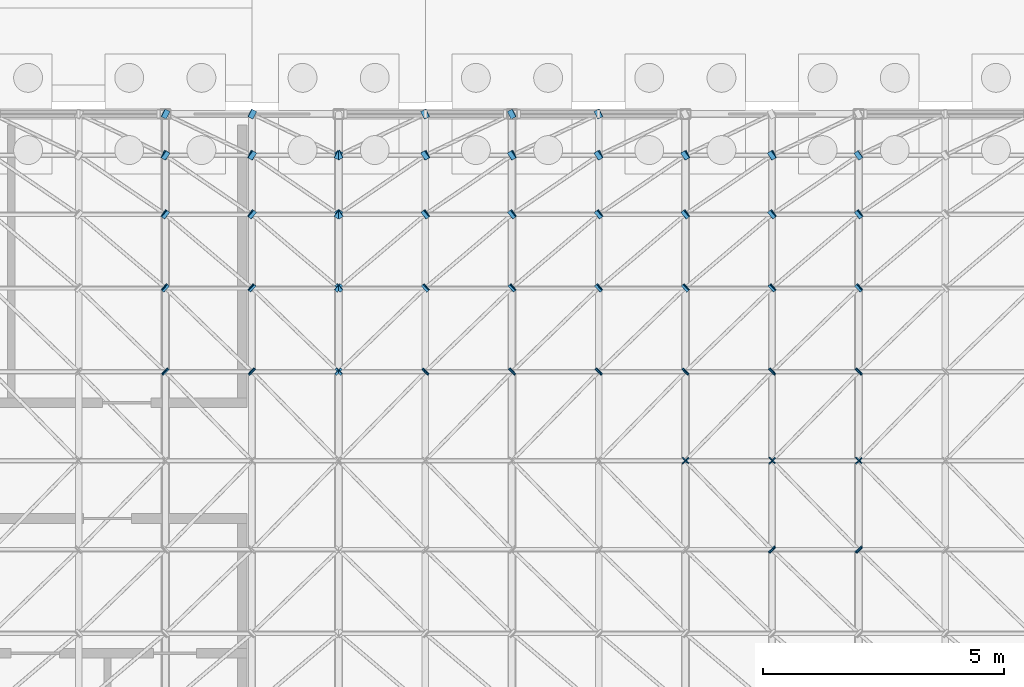
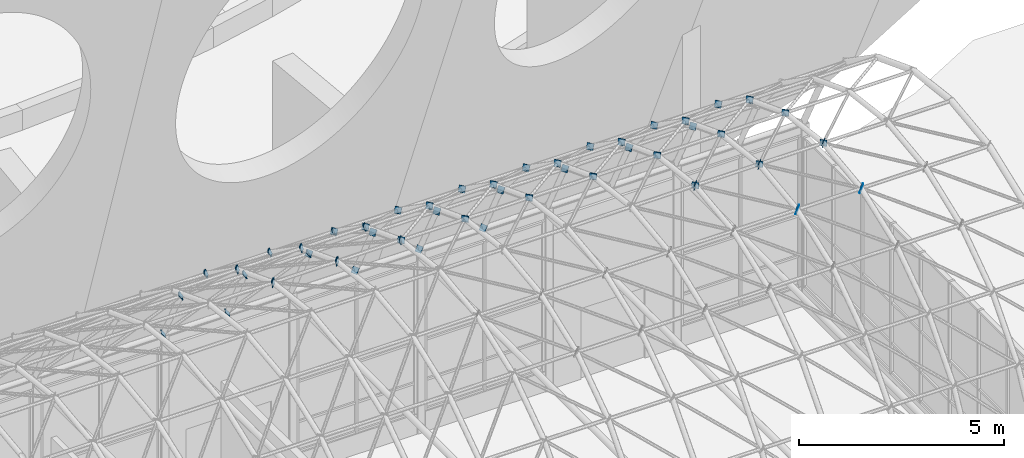
# One storey, part 104 of 116: 86 discrete accessories.
"""IFC4 building model written with IfcOpenShell, lengths in metres."""

from ifc_helpers import new_model, si_unit, direction, frame, origin, origin_2d, place, context, subcontext, project, spatial, rectangle, extrude, material, material_profile, profile_set, type_object, element, save


model = new_model("IFC4")

# Units and contexts
model_context = context("Model", 3, precision=1e-05, world=origin(), true_north=direction((0.0, 1.0)))
body_context = subcontext(model_context, "Body", "Model", "MODEL_VIEW")
ifc_project = project(units=[si_unit("LENGTHUNIT", "METRE"), si_unit("AREAUNIT", "SQUARE_METRE"), si_unit("VOLUMEUNIT", "CUBIC_METRE"), si_unit("PLANEANGLEUNIT", "RADIAN"), si_unit("MASSUNIT", "GRAM", prefix="KILO")], contexts=[model_context])

# Site, building, storey
site_placement = place(None, origin())
site = spatial("IfcSite", under=ifc_project, at=site_placement, CompositionType="ELEMENT")
building_placement = place(site_placement, origin())
building = spatial("IfcBuilding", under=site, at=building_placement, Name="Ardhachandra Cancer Care Centre", CompositionType="ELEMENT")
storey_placement = place(building_placement, origin())
storey = spatial("IfcBuildingStorey", under=building, at=storey_placement, Name="L00", CompositionType="ELEMENT", Elevation=0.0)

# Discrete accessories
ifc_material = material(Name="Steel E250 (IS 2062)", Category="steel")
ifc_material_profile = material_profile(ifc_material, rectangle(XDim=0.176025390625, YDim=0.176025390625, at=origin_2d()), Name="PL 176x176x12")
ifc_profile_set = profile_set([ifc_material_profile], Name="Steel E250 (IS 2062)")
discrete_accessory_type = type_object("IfcDiscreteAccessoryType", Name="Diagonal end plate 176 x 176 x 12", PredefinedType="BRACKET", material=ifc_profile_set)
for number, where, z_axis, x_axis, name in (
    (1, (74.39990234375, 16.247314453125, 10.174560546875), (-0.695618049284, 0.675158694893, -0.245512252688), (-0.696475377169, -0.717580691628, 0.0), "Diagonal end plate Pavilion shell diagonal 06-06 1"),
    (2, (74.39990234375, 17.986328125, 9.51171875), (-0.694456264675, 0.592330343399, -0.408503685103), (-0.648946606083, -0.760833951959, 0.0), "Diagonal end plate Pavilion shell diagonal 06-07 1"),
):
    element("IfcDiscreteAccessory", number, at=place(storey_placement, frame(where, z_axis=z_axis, x_axis=x_axis)), inside=storey, type_object=discrete_accessory_type, Name=name, PredefinedType="BRACKET", context=body_context, shape_type="SweptSolid", body=[
        extrude(rectangle(XDim=0.176025390625, YDim=0.176025390625, at=origin_2d()), origin(), (0.0, 0.0, 1.0), 0.011962890625),
    ])
discrete_accessory_1_placement = place(storey_placement, frame((74.39990234375, 19.514892578125, 8.4501953125), z_axis=(-0.685366874707, 0.483788382146, -0.544261929915), x_axis=(-0.576683197599, -0.816967863265, 0.0)))
element("IfcDiscreteAccessory", 3, at=discrete_accessory_1_placement, inside=storey, type_object=discrete_accessory_type, Name="Diagonal end plate Pavilion shell diagonal 06-08 1", PredefinedType="BRACKET", context=body_context, shape_type="SweptSolid", body=[
    extrude(rectangle(XDim=0.176025390625, YDim=0.176025390625, at=origin_2d()), origin(), (0.0, 0.0, 1.0), 0.01220703125),
])
discrete_accessory_2_placement = place(storey_placement, frame((74.39990234375, 20.74365234375, 7.05224609375), z_axis=(-0.697959218879, 0.328451397119, -0.636374581919), x_axis=(-0.42579703633, -0.904818702201, 0.0)))
element("IfcDiscreteAccessory", 4, at=discrete_accessory_2_placement, inside=storey, type_object=discrete_accessory_type, Name="Diagonal end plate Pavilion shell diagonal 06-09 1", PredefinedType="BRACKET", context=body_context, shape_type="SweptSolid", body=[
    extrude(rectangle(XDim=0.176025390625, YDim=0.176025390625, at=origin_2d()), origin(), (0.0, 0.0, 1.0), 0.011962890625),
])
discrete_accessory_3_placement = place(storey_placement, frame((74.39990234375, 16.247314453125, 10.174560546875), z_axis=(0.703526470681, -0.703526470681, 0.100503781526), x_axis=(0.707106781187, 0.707106781187, 0.0)))
element("IfcDiscreteAccessory", 5, at=discrete_accessory_3_placement, inside=storey, type_object=discrete_accessory_type, Name="Diagonal end plate Pavilion shell diagonal 07-05 2", PredefinedType="BRACKET", context=body_context, shape_type="SweptSolid", body=[
    extrude(rectangle(XDim=0.176025390625, YDim=0.176025390625, at=origin_2d()), origin(), (0.0, 0.0, 1.0), 0.01220703125),
])
discrete_accessory_4_placement = place(storey_placement, frame((76.199951171875, 16.247314453125, 10.174560546875), z_axis=(-0.695618049284, 0.675158694893, -0.245512252688), x_axis=(-0.696475377169, -0.717580691628, 0.0)))
element("IfcDiscreteAccessory", 6, at=discrete_accessory_4_placement, inside=storey, type_object=discrete_accessory_type, Name="Diagonal end plate Pavilion shell diagonal 07-06 1", PredefinedType="BRACKET", context=body_context, shape_type="SweptSolid", body=[
    extrude(rectangle(XDim=0.176025390625, YDim=0.176025390625, at=origin_2d()), origin(), (0.0, 0.0, 1.0), 0.011962890625),
])
discrete_accessory_5_placement = place(storey_placement, frame((74.39990234375, 17.986328125, 9.51171875), z_axis=(0.702392207194, -0.66225550964, 0.260888534101), x_axis=(0.686012868689, 0.727589406185, 0.0)))
element("IfcDiscreteAccessory", 7, at=discrete_accessory_5_placement, inside=storey, type_object=discrete_accessory_type, Name="Diagonal end plate Pavilion shell diagonal 07-06 2", PredefinedType="BRACKET", context=body_context, shape_type="SweptSolid", body=[
    extrude(rectangle(XDim=0.176025390625, YDim=0.176025390625, at=origin_2d()), origin(), (0.0, 0.0, 1.0), 0.01220703125),
])
discrete_accessory_6_placement = place(storey_placement, frame((76.199951171875, 17.986328125, 9.51171875), z_axis=(-0.694456264675, 0.592330343399, -0.408503685103), x_axis=(-0.648946606083, -0.760833951959, 0.0)))
element("IfcDiscreteAccessory", 8, at=discrete_accessory_6_placement, inside=storey, type_object=discrete_accessory_type, Name="Diagonal end plate Pavilion shell diagonal 07-07 1", PredefinedType="BRACKET", context=body_context, shape_type="SweptSolid", body=[
    extrude(rectangle(XDim=0.176025390625, YDim=0.176025390625, at=origin_2d()), origin(), (0.0, 0.0, 1.0), 0.011962890625),
])
for number, where, z_axis, x_axis, name in (
    (9, (74.39990234375, 19.514892578125, 8.4501953125), (0.704809108885, -0.583984690219, 0.40274806222), (0.63801786475, 0.770021560906, 0.0), "Diagonal end plate Pavilion shell diagonal 07-07 2"),
    (10, (76.199951171875, 19.514892578125, 8.4501953125), (-0.685366874707, 0.483788382146, -0.544261929915), (-0.576683197599, -0.816967863265, 0.0), "Diagonal end plate Pavilion shell diagonal 07-08 1"),
    (11, (74.39990234375, 20.74365234375, 7.05224609375), (0.695837425927, -0.477145663493, 0.536788871429), (0.565528355552, 0.824728851846, 0.0), "Diagonal end plate Pavilion shell diagonal 07-08 2"),
):
    element("IfcDiscreteAccessory", number, at=place(storey_placement, frame(where, z_axis=z_axis, x_axis=x_axis)), inside=storey, type_object=discrete_accessory_type, Name=name, PredefinedType="BRACKET", context=body_context, shape_type="SweptSolid", body=[
        extrude(rectangle(XDim=0.176025390625, YDim=0.176025390625, at=origin_2d()), origin(), (0.0, 0.0, 1.0), 0.01220703125),
    ])
discrete_accessory_7_placement = place(storey_placement, frame((76.199951171875, 20.74365234375, 7.05224609375), z_axis=(-0.697959218879, 0.328451397119, -0.636374581919), x_axis=(-0.42579703633, -0.904818702201, 0.0)))
element("IfcDiscreteAccessory", 12, at=discrete_accessory_7_placement, inside=storey, type_object=discrete_accessory_type, Name="Diagonal end plate Pavilion shell diagonal 07-09 1", PredefinedType="BRACKET", context=body_context, shape_type="SweptSolid", body=[
    extrude(rectangle(XDim=0.176025390625, YDim=0.176025390625, at=origin_2d()), origin(), (0.0, 0.0, 1.0), 0.011962890625),
])
discrete_accessory_8_placement = place(storey_placement, frame((74.39990234375, 21.60009765625, 5.39990234375), z_axis=(0.694739889871, -0.337445089366, 0.635190756454), x_axis=(0.436903962737, 0.899508158576, 0.0)))
element("IfcDiscreteAccessory", 13, at=discrete_accessory_8_placement, inside=storey, type_object=discrete_accessory_type, Name="Diagonal end plate Pavilion shell diagonal 07-09 2", PredefinedType="BRACKET", context=body_context, shape_type="SweptSolid", body=[
    extrude(rectangle(XDim=0.176025390625, YDim=0.176025390625, at=origin_2d()), origin(), (0.0, 0.0, 1.0), 0.01220703125),
])
for number, where, z_axis, x_axis, name in (
    (14, (76.199951171875, 16.247314453125, 10.174560546875), (0.693156189404, -0.713543136151, 0.101934733736), (0.717279380859, 0.696785684263, 0.0), "Diagonal end plate Pavilion shell diagonal 08-05 2"),
    (15, (78.0, 16.247314453125, 10.174560546875), (-0.695618049284, 0.675158694893, -0.245512252688), (-0.696475377169, -0.717580691628, 0.0), "Diagonal end plate Pavilion shell diagonal 08-06 1"),
    (16, (76.199951171875, 17.986328125, 9.51171875), (0.692006675861, -0.671653538336, 0.264590787829), (0.696475377169, 0.717580691628, 0.0), "Diagonal end plate Pavilion shell diagonal 08-06 2"),
    (17, (78.0, 17.986328125, 9.51171875), (-0.694456264675, 0.592330343399, -0.408503685103), (-0.648946606083, -0.760833951959, 0.0), "Diagonal end plate Pavilion shell diagonal 08-07 1"),
    (18, (76.199951171875, 19.514892578125, 8.4501953125), (0.694456264675, -0.592330343399, 0.408503685103), (0.648946606083, 0.760833951959, 0.0), "Diagonal end plate Pavilion shell diagonal 08-07 2"),
):
    element("IfcDiscreteAccessory", number, at=place(storey_placement, frame(where, z_axis=z_axis, x_axis=x_axis)), inside=storey, type_object=discrete_accessory_type, Name=name, PredefinedType="BRACKET", context=body_context, shape_type="SweptSolid", body=[
        extrude(rectangle(XDim=0.176025390625, YDim=0.176025390625, at=origin_2d()), origin(), (0.0, 0.0, 1.0), 0.011962890625),
    ])
for number, where, z_axis, x_axis, name in (
    (19, (78.0, 19.514892578125, 8.4501953125), (-0.685366874707, 0.483788382146, -0.544261929915), (-0.576683197599, -0.816967863265, 0.0), "Diagonal end plate Pavilion shell diagonal 08-08 1"),
    (20, (76.199951171875, 20.74365234375, 7.05224609375), (0.685366874707, -0.483788382146, 0.544261929915), (0.576683197599, 0.816967863265, 0.0), "Diagonal end plate Pavilion shell diagonal 08-08 2"),
):
    element("IfcDiscreteAccessory", number, at=place(storey_placement, frame(where, z_axis=z_axis, x_axis=x_axis)), inside=storey, type_object=discrete_accessory_type, Name=name, PredefinedType="BRACKET", context=body_context, shape_type="SweptSolid", body=[
        extrude(rectangle(XDim=0.176025390625, YDim=0.176025390625, at=origin_2d()), origin(), (0.0, 0.0, 1.0), 0.01220703125),
    ])
discrete_accessory_9_placement = place(storey_placement, frame((78.0, 20.74365234375, 7.05224609375), z_axis=(-0.697959218879, 0.328451397119, -0.636374581919), x_axis=(-0.42579703633, -0.904818702201, 0.0)))
element("IfcDiscreteAccessory", 21, at=discrete_accessory_9_placement, inside=storey, type_object=discrete_accessory_type, Name="Diagonal end plate Pavilion shell diagonal 08-09 1", PredefinedType="BRACKET", context=body_context, shape_type="SweptSolid", body=[
    extrude(rectangle(XDim=0.176025390625, YDim=0.176025390625, at=origin_2d()), origin(), (0.0, 0.0, 1.0), 0.011962890625),
])
discrete_accessory_10_placement = place(storey_placement, frame((76.199951171875, 21.60009765625, 5.39990234375), z_axis=(0.684255618403, -0.342127809202, 0.644005287909), x_axis=(0.4472135955, 0.894427191, 0.0)))
element("IfcDiscreteAccessory", 22, at=discrete_accessory_10_placement, inside=storey, type_object=discrete_accessory_type, Name="Diagonal end plate Pavilion shell diagonal 08-09 2", PredefinedType="BRACKET", context=body_context, shape_type="SweptSolid", body=[
    extrude(rectangle(XDim=0.176025390625, YDim=0.176025390625, at=origin_2d()), origin(), (0.0, 0.0, 1.0), 0.01220703125),
])
for number, where, z_axis, x_axis, name in (
    (23, (79.800048828125, 16.247314453125, 10.174560546875), (-0.693156189404, -0.713543136151, 0.101934733736), (0.717279380859, -0.696785684263, 0.0), "Diagonal end plate Pavilion shell diagonal 08-05 2"),
    (24, (78.0, 16.247314453125, 10.174560546875), (0.695618049284, 0.675158694893, -0.245512252688), (-0.696475377169, 0.717580691628, 0.0), "Diagonal end plate Pavilion shell diagonal 08-06 1"),
    (25, (79.800048828125, 17.986328125, 9.51171875), (-0.692006675861, -0.671653538336, 0.264590787829), (0.696475377169, -0.717580691628, 0.0), "Diagonal end plate Pavilion shell diagonal 08-06 2"),
    (26, (78.0, 17.986328125, 9.51171875), (0.694456264675, 0.592330343399, -0.408503685103), (-0.648946606083, 0.760833951959, 0.0), "Diagonal end plate Pavilion shell diagonal 08-07 1"),
    (27, (79.800048828125, 19.514892578125, 8.4501953125), (-0.694456264675, -0.592330343399, 0.408503685103), (0.648946606083, -0.760833951959, 0.0), "Diagonal end plate Pavilion shell diagonal 08-07 2"),
):
    element("IfcDiscreteAccessory", number, at=place(storey_placement, frame(where, z_axis=z_axis, x_axis=x_axis)), inside=storey, type_object=discrete_accessory_type, Name=name, PredefinedType="BRACKET", context=body_context, shape_type="SweptSolid", body=[
        extrude(rectangle(XDim=0.176025390625, YDim=0.176025390625, at=origin_2d()), origin(), (0.0, 0.0, 1.0), 0.011962890625),
    ])
for number, where, z_axis, x_axis, name in (
    (28, (78.0, 19.514892578125, 8.4501953125), (0.685366874707, 0.483788382146, -0.544261929915), (-0.576683197599, 0.816967863265, 0.0), "Diagonal end plate Pavilion shell diagonal 08-08 1"),
    (29, (79.800048828125, 20.74365234375, 7.05224609375), (-0.685366874707, -0.483788382146, 0.544261929915), (0.576683197599, -0.816967863265, 0.0), "Diagonal end plate Pavilion shell diagonal 08-08 2"),
):
    element("IfcDiscreteAccessory", number, at=place(storey_placement, frame(where, z_axis=z_axis, x_axis=x_axis)), inside=storey, type_object=discrete_accessory_type, Name=name, PredefinedType="BRACKET", context=body_context, shape_type="SweptSolid", body=[
        extrude(rectangle(XDim=0.176025390625, YDim=0.176025390625, at=origin_2d()), origin(), (0.0, 0.0, 1.0), 0.01220703125),
    ])
discrete_accessory_11_placement = place(storey_placement, frame((78.0, 20.74365234375, 7.05224609375), z_axis=(0.697959218879, 0.328451397119, -0.636374581919), x_axis=(-0.42579703633, 0.904818702201, 0.0)))
element("IfcDiscreteAccessory", 30, at=discrete_accessory_11_placement, inside=storey, type_object=discrete_accessory_type, Name="Diagonal end plate Pavilion shell diagonal 08-09 1", PredefinedType="BRACKET", context=body_context, shape_type="SweptSolid", body=[
    extrude(rectangle(XDim=0.176025390625, YDim=0.176025390625, at=origin_2d()), origin(), (0.0, 0.0, 1.0), 0.011962890625),
])
for number, where, z_axis, x_axis, name in (
    (31, (79.800048828125, 21.60009765625, 5.39990234375), (-0.684255618403, -0.342127809202, 0.644005287909), (0.4472135955, -0.894427191, 0.0), "Diagonal end plate Pavilion shell diagonal 08-09 2"),
    (32, (81.60009765625, 16.247314453125, 10.174560546875), (-0.703526470681, -0.703526470681, 0.100503781526), (0.707106781187, -0.707106781187, 0.0), "Diagonal end plate Pavilion shell diagonal 09-05 2"),
):
    element("IfcDiscreteAccessory", number, at=place(storey_placement, frame(where, z_axis=z_axis, x_axis=x_axis)), inside=storey, type_object=discrete_accessory_type, Name=name, PredefinedType="BRACKET", context=body_context, shape_type="SweptSolid", body=[
        extrude(rectangle(XDim=0.176025390625, YDim=0.176025390625, at=origin_2d()), origin(), (0.0, 0.0, 1.0), 0.01220703125),
    ])
discrete_accessory_12_placement = place(storey_placement, frame((79.800048828125, 16.247314453125, 10.174560546875), z_axis=(0.695618049284, 0.675158694893, -0.245512252688), x_axis=(-0.696475377169, 0.717580691628, 0.0)))
element("IfcDiscreteAccessory", 33, at=discrete_accessory_12_placement, inside=storey, type_object=discrete_accessory_type, Name="Diagonal end plate Pavilion shell diagonal 09-06 1", PredefinedType="BRACKET", context=body_context, shape_type="SweptSolid", body=[
    extrude(rectangle(XDim=0.176025390625, YDim=0.176025390625, at=origin_2d()), origin(), (0.0, 0.0, 1.0), 0.011962890625),
])
discrete_accessory_13_placement = place(storey_placement, frame((81.60009765625, 17.986328125, 9.51171875), z_axis=(-0.702392207194, -0.66225550964, 0.260888534101), x_axis=(0.686012868689, -0.727589406185, 0.0)))
element("IfcDiscreteAccessory", 34, at=discrete_accessory_13_placement, inside=storey, type_object=discrete_accessory_type, Name="Diagonal end plate Pavilion shell diagonal 09-06 2", PredefinedType="BRACKET", context=body_context, shape_type="SweptSolid", body=[
    extrude(rectangle(XDim=0.176025390625, YDim=0.176025390625, at=origin_2d()), origin(), (0.0, 0.0, 1.0), 0.01220703125),
])
discrete_accessory_14_placement = place(storey_placement, frame((79.800048828125, 17.986328125, 9.51171875), z_axis=(0.694456264675, 0.592330343399, -0.408503685103), x_axis=(-0.648946606083, 0.760833951959, 0.0)))
element("IfcDiscreteAccessory", 35, at=discrete_accessory_14_placement, inside=storey, type_object=discrete_accessory_type, Name="Diagonal end plate Pavilion shell diagonal 09-07 1", PredefinedType="BRACKET", context=body_context, shape_type="SweptSolid", body=[
    extrude(rectangle(XDim=0.176025390625, YDim=0.176025390625, at=origin_2d()), origin(), (0.0, 0.0, 1.0), 0.011962890625),
])
for number, where, z_axis, x_axis, name in (
    (36, (81.60009765625, 19.514892578125, 8.4501953125), (-0.704809108885, -0.583984690219, 0.40274806222), (0.63801786475, -0.770021560906, 0.0), "Diagonal end plate Pavilion shell diagonal 09-07 2"),
    (37, (79.800048828125, 19.514892578125, 8.4501953125), (0.685366874707, 0.483788382146, -0.544261929915), (-0.576683197599, 0.816967863265, 0.0), "Diagonal end plate Pavilion shell diagonal 09-08 1"),
    (38, (81.60009765625, 20.74365234375, 7.05224609375), (-0.695837425927, -0.477145663493, 0.536788871429), (0.565528355552, -0.824728851846, 0.0), "Diagonal end plate Pavilion shell diagonal 09-08 2"),
):
    element("IfcDiscreteAccessory", number, at=place(storey_placement, frame(where, z_axis=z_axis, x_axis=x_axis)), inside=storey, type_object=discrete_accessory_type, Name=name, PredefinedType="BRACKET", context=body_context, shape_type="SweptSolid", body=[
        extrude(rectangle(XDim=0.176025390625, YDim=0.176025390625, at=origin_2d()), origin(), (0.0, 0.0, 1.0), 0.01220703125),
    ])
discrete_accessory_15_placement = place(storey_placement, frame((79.800048828125, 20.74365234375, 7.05224609375), z_axis=(0.697959218879, 0.328451397119, -0.636374581919), x_axis=(-0.42579703633, 0.904818702201, 0.0)))
element("IfcDiscreteAccessory", 39, at=discrete_accessory_15_placement, inside=storey, type_object=discrete_accessory_type, Name="Diagonal end plate Pavilion shell diagonal 09-09 1", PredefinedType="BRACKET", context=body_context, shape_type="SweptSolid", body=[
    extrude(rectangle(XDim=0.176025390625, YDim=0.176025390625, at=origin_2d()), origin(), (0.0, 0.0, 1.0), 0.011962890625),
])
discrete_accessory_16_placement = place(storey_placement, frame((81.60009765625, 21.60009765625, 5.39990234375), z_axis=(-0.694739889871, -0.337445089366, 0.635190756454), x_axis=(0.436903962737, -0.899508158576, 0.0)))
element("IfcDiscreteAccessory", 40, at=discrete_accessory_16_placement, inside=storey, type_object=discrete_accessory_type, Name="Diagonal end plate Pavilion shell diagonal 09-09 2", PredefinedType="BRACKET", context=body_context, shape_type="SweptSolid", body=[
    extrude(rectangle(XDim=0.176025390625, YDim=0.176025390625, at=origin_2d()), origin(), (0.0, 0.0, 1.0), 0.01220703125),
])
for number, where, z_axis, x_axis, name in (
    (41, (83.39990234375, 16.247314453125, 10.174560546875), (-0.693156189404, -0.713543136151, 0.101934733736), (0.717279380859, -0.696785684263, 0.0), "Diagonal end plate Pavilion shell diagonal 10-05 2"),
    (42, (81.60009765625, 16.247314453125, 10.174560546875), (0.695618049284, 0.675158694893, -0.245512252688), (-0.696475377169, 0.717580691628, 0.0), "Diagonal end plate Pavilion shell diagonal 10-06 1"),
    (43, (83.39990234375, 17.986328125, 9.51171875), (-0.692006675861, -0.671653538336, 0.264590787829), (0.696475377169, -0.717580691628, 0.0), "Diagonal end plate Pavilion shell diagonal 10-06 2"),
    (44, (81.60009765625, 17.986328125, 9.51171875), (0.694456264675, 0.592330343399, -0.408503685103), (-0.648946606083, 0.760833951959, 0.0), "Diagonal end plate Pavilion shell diagonal 10-07 1"),
    (45, (83.39990234375, 19.514892578125, 8.4501953125), (-0.694456264675, -0.592330343399, 0.408503685103), (0.648946606083, -0.760833951959, 0.0), "Diagonal end plate Pavilion shell diagonal 10-07 2"),
):
    element("IfcDiscreteAccessory", number, at=place(storey_placement, frame(where, z_axis=z_axis, x_axis=x_axis)), inside=storey, type_object=discrete_accessory_type, Name=name, PredefinedType="BRACKET", context=body_context, shape_type="SweptSolid", body=[
        extrude(rectangle(XDim=0.176025390625, YDim=0.176025390625, at=origin_2d()), origin(), (0.0, 0.0, 1.0), 0.011962890625),
    ])
for number, where, z_axis, x_axis, name in (
    (46, (81.60009765625, 19.514892578125, 8.4501953125), (0.685366874707, 0.483788382146, -0.544261929915), (-0.576683197599, 0.816967863265, 0.0), "Diagonal end plate Pavilion shell diagonal 10-08 1"),
    (47, (83.39990234375, 20.74365234375, 7.05224609375), (-0.685366874707, -0.483788382146, 0.544261929915), (0.576683197599, -0.816967863265, 0.0), "Diagonal end plate Pavilion shell diagonal 10-08 2"),
):
    element("IfcDiscreteAccessory", number, at=place(storey_placement, frame(where, z_axis=z_axis, x_axis=x_axis)), inside=storey, type_object=discrete_accessory_type, Name=name, PredefinedType="BRACKET", context=body_context, shape_type="SweptSolid", body=[
        extrude(rectangle(XDim=0.176025390625, YDim=0.176025390625, at=origin_2d()), origin(), (0.0, 0.0, 1.0), 0.01220703125),
    ])
discrete_accessory_17_placement = place(storey_placement, frame((81.60009765625, 20.74365234375, 7.05224609375), z_axis=(0.697959218879, 0.328451397119, -0.636374581919), x_axis=(-0.42579703633, 0.904818702201, 0.0)))
element("IfcDiscreteAccessory", 48, at=discrete_accessory_17_placement, inside=storey, type_object=discrete_accessory_type, Name="Diagonal end plate Pavilion shell diagonal 10-09 1", PredefinedType="BRACKET", context=body_context, shape_type="SweptSolid", body=[
    extrude(rectangle(XDim=0.176025390625, YDim=0.176025390625, at=origin_2d()), origin(), (0.0, 0.0, 1.0), 0.011962890625),
])
discrete_accessory_18_placement = place(storey_placement, frame((83.39990234375, 21.60009765625, 5.39990234375), z_axis=(-0.684255618403, -0.342127809202, 0.644005287909), x_axis=(0.4472135955, -0.894427191, 0.0)))
element("IfcDiscreteAccessory", 49, at=discrete_accessory_18_placement, inside=storey, type_object=discrete_accessory_type, Name="Diagonal end plate Pavilion shell diagonal 10-09 2", PredefinedType="BRACKET", context=body_context, shape_type="SweptSolid", body=[
    extrude(rectangle(XDim=0.176025390625, YDim=0.176025390625, at=origin_2d()), origin(), (0.0, 0.0, 1.0), 0.01220703125),
])
discrete_accessory_19_placement = place(storey_placement, frame((85.199951171875, 16.247314453125, 10.174560546875), z_axis=(-0.693156189404, -0.713543136151, 0.101934733736), x_axis=(0.717279380859, -0.696785684263, 0.0)))
element("IfcDiscreteAccessory", 50, at=discrete_accessory_19_placement, inside=storey, type_object=discrete_accessory_type, Name="Diagonal end plate Pavilion shell diagonal 11-05 2", PredefinedType="BRACKET", context=body_context, shape_type="SweptSolid", body=[
    extrude(rectangle(XDim=0.176025390625, YDim=0.176025390625, at=origin_2d()), origin(), (0.0, 0.0, 1.0), 0.011962890625),
])
discrete_accessory_20_placement = place(storey_placement, frame((83.39990234375, 16.247314453125, 10.174560546875), z_axis=(0.705955140713, 0.665614846958, -0.24204176253), x_axis=(-0.686012868689, 0.727589406185, 0.0)))
element("IfcDiscreteAccessory", 51, at=discrete_accessory_20_placement, inside=storey, type_object=discrete_accessory_type, Name="Diagonal end plate Pavilion shell diagonal 11-06 1", PredefinedType="BRACKET", context=body_context, shape_type="SweptSolid", body=[
    extrude(rectangle(XDim=0.176025390625, YDim=0.176025390625, at=origin_2d()), origin(), (0.0, 0.0, 1.0), 0.01220703125),
])
discrete_accessory_21_placement = place(storey_placement, frame((85.199951171875, 17.986328125, 9.51171875), z_axis=(-0.692006675861, -0.671653538336, 0.264590787829), x_axis=(0.696475377169, -0.717580691628, 0.0)))
element("IfcDiscreteAccessory", 52, at=discrete_accessory_21_placement, inside=storey, type_object=discrete_accessory_type, Name="Diagonal end plate Pavilion shell diagonal 11-06 2", PredefinedType="BRACKET", context=body_context, shape_type="SweptSolid", body=[
    extrude(rectangle(XDim=0.176025390625, YDim=0.176025390625, at=origin_2d()), origin(), (0.0, 0.0, 1.0), 0.011962890625),
])
discrete_accessory_22_placement = place(storey_placement, frame((83.39990234375, 17.986328125, 9.51171875), z_axis=(0.704809108885, 0.583984690219, -0.40274806222), x_axis=(-0.63801786475, 0.770021560906, 0.0)))
element("IfcDiscreteAccessory", 53, at=discrete_accessory_22_placement, inside=storey, type_object=discrete_accessory_type, Name="Diagonal end plate Pavilion shell diagonal 11-07 1", PredefinedType="BRACKET", context=body_context, shape_type="SweptSolid", body=[
    extrude(rectangle(XDim=0.176025390625, YDim=0.176025390625, at=origin_2d()), origin(), (0.0, 0.0, 1.0), 0.01220703125),
])
discrete_accessory_23_placement = place(storey_placement, frame((85.199951171875, 19.514892578125, 8.4501953125), z_axis=(-0.694456264675, -0.592330343399, 0.408503685103), x_axis=(0.648946606083, -0.760833951959, 0.0)))
element("IfcDiscreteAccessory", 54, at=discrete_accessory_23_placement, inside=storey, type_object=discrete_accessory_type, Name="Diagonal end plate Pavilion shell diagonal 11-07 2", PredefinedType="BRACKET", context=body_context, shape_type="SweptSolid", body=[
    extrude(rectangle(XDim=0.176025390625, YDim=0.176025390625, at=origin_2d()), origin(), (0.0, 0.0, 1.0), 0.011962890625),
])
for number, where, z_axis, x_axis, name in (
    (55, (83.39990234375, 19.514892578125, 8.4501953125), (0.695837425927, 0.477145663493, -0.536788871429), (-0.565528355552, 0.824728851846, 0.0), "Diagonal end plate Pavilion shell diagonal 11-08 1"),
    (56, (85.199951171875, 20.74365234375, 7.05224609375), (-0.685366874707, -0.483788382146, 0.544261929915), (0.576683197599, -0.816967863265, 0.0), "Diagonal end plate Pavilion shell diagonal 11-08 2"),
):
    element("IfcDiscreteAccessory", number, at=place(storey_placement, frame(where, z_axis=z_axis, x_axis=x_axis)), inside=storey, type_object=discrete_accessory_type, Name=name, PredefinedType="BRACKET", context=body_context, shape_type="SweptSolid", body=[
        extrude(rectangle(XDim=0.176025390625, YDim=0.176025390625, at=origin_2d()), origin(), (0.0, 0.0, 1.0), 0.01220703125),
    ])
for number, where, z_axis, x_axis, name in (
    (57, (83.39990234375, 20.74365234375, 7.05224609375), (0.708264076202, 0.323777863407, -0.62731961035), (-0.415759760268, 0.909474475586, 0.0), "Diagonal end plate Pavilion shell diagonal 11-09 1"),
    (58, (87.0, 12.552734375, 10.174560546875), (-0.693156189404, 0.713543136151, 0.101934733736), (-0.717279380859, -0.696785684263, 0.0), "Diagonal end plate Pavilion shell diagonal 13-04 1"),
    (59, (85.199951171875, 14.39990234375, 10.39990234375), (0.694456264675, -0.71488144893, -0.081700737021), (0.717279380859, 0.696785684263, 0.0), "Diagonal end plate Pavilion shell diagonal 13-04 2"),
    (60, (85.199951171875, 14.39990234375, 10.39990234375), (0.694456264675, 0.71488144893, -0.081700737021), (-0.717279380859, 0.696785684263, 0.0), "Diagonal end plate Pavilion shell diagonal 12-05 1"),
    (61, (87.0, 16.247314453125, 10.174560546875), (-0.693156189404, -0.713543136151, 0.101934733736), (0.717279380859, -0.696785684263, 0.0), "Diagonal end plate Pavilion shell diagonal 12-05 2"),
    (62, (85.199951171875, 16.247314453125, 10.174560546875), (0.695618049284, 0.675158694893, -0.245512252688), (-0.696475377169, 0.717580691628, 0.0), "Diagonal end plate Pavilion shell diagonal 12-06 1"),
    (63, (87.0, 17.986328125, 9.51171875), (-0.692006675861, -0.671653538336, 0.264590787829), (0.696475377169, -0.717580691628, 0.0), "Diagonal end plate Pavilion shell diagonal 12-06 2"),
    (64, (85.199951171875, 17.986328125, 9.51171875), (0.694456264675, 0.592330343399, -0.408503685103), (-0.648946606083, 0.760833951959, 0.0), "Diagonal end plate Pavilion shell diagonal 12-07 1"),
    (65, (87.0, 19.514892578125, 8.4501953125), (-0.694456264675, -0.592330343399, 0.408503685103), (0.648946606083, -0.760833951959, 0.0), "Diagonal end plate Pavilion shell diagonal 12-07 2"),
):
    element("IfcDiscreteAccessory", number, at=place(storey_placement, frame(where, z_axis=z_axis, x_axis=x_axis)), inside=storey, type_object=discrete_accessory_type, Name=name, PredefinedType="BRACKET", context=body_context, shape_type="SweptSolid", body=[
        extrude(rectangle(XDim=0.176025390625, YDim=0.176025390625, at=origin_2d()), origin(), (0.0, 0.0, 1.0), 0.011962890625),
    ])
for number, where, z_axis, x_axis, name in (
    (66, (85.199951171875, 19.514892578125, 8.4501953125), (0.685366874707, 0.483788382146, -0.544261929915), (-0.576683197599, 0.816967863265, 0.0), "Diagonal end plate Pavilion shell diagonal 12-08 1"),
    (67, (87.0, 20.74365234375, 7.05224609375), (-0.685366874707, -0.483788382146, 0.544261929915), (0.576683197599, -0.816967863265, 0.0), "Diagonal end plate Pavilion shell diagonal 12-08 2"),
):
    element("IfcDiscreteAccessory", number, at=place(storey_placement, frame(where, z_axis=z_axis, x_axis=x_axis)), inside=storey, type_object=discrete_accessory_type, Name=name, PredefinedType="BRACKET", context=body_context, shape_type="SweptSolid", body=[
        extrude(rectangle(XDim=0.176025390625, YDim=0.176025390625, at=origin_2d()), origin(), (0.0, 0.0, 1.0), 0.01220703125),
    ])
for number, where, z_axis, x_axis, name in (
    (68, (85.199951171875, 20.74365234375, 7.05224609375), (0.697959218879, 0.328451397119, -0.636374581919), (-0.42579703633, 0.904818702201, 0.0), "Diagonal end plate Pavilion shell diagonal 12-09 1"),
    (69, (87.0, 12.552734375, 10.174560546875), (0.695618049284, -0.675158694893, -0.245512252688), (0.696475377169, 0.717580691628, 0.0), "Diagonal end plate Pavilion shell diagonal 14-03 2"),
    (70, (88.800048828125, 12.552734375, 10.174560546875), (-0.693156189404, 0.713543136151, 0.101934733736), (-0.717279380859, -0.696785684263, 0.0), "Diagonal end plate Pavilion shell diagonal 14-04 1"),
    (71, (87.0, 14.39990234375, 10.39990234375), (0.694456264675, -0.71488144893, -0.081700737021), (0.717279380859, 0.696785684263, 0.0), "Diagonal end plate Pavilion shell diagonal 14-04 2"),
    (72, (87.0, 14.39990234375, 10.39990234375), (0.694456264675, 0.71488144893, -0.081700737021), (-0.717279380859, 0.696785684263, 0.0), "Diagonal end plate Pavilion shell diagonal 13-05 1"),
    (73, (88.800048828125, 16.247314453125, 10.174560546875), (-0.693156189404, -0.713543136151, 0.101934733736), (0.717279380859, -0.696785684263, 0.0), "Diagonal end plate Pavilion shell diagonal 13-05 2"),
    (74, (87.0, 16.247314453125, 10.174560546875), (0.695618049284, 0.675158694893, -0.245512252688), (-0.696475377169, 0.717580691628, 0.0), "Diagonal end plate Pavilion shell diagonal 13-06 1"),
    (75, (88.800048828125, 17.986328125, 9.51171875), (-0.692006675861, -0.671653538336, 0.264590787829), (0.696475377169, -0.717580691628, 0.0), "Diagonal end plate Pavilion shell diagonal 13-06 2"),
    (76, (87.0, 17.986328125, 9.51171875), (0.694456264675, 0.592330343399, -0.408503685103), (-0.648946606083, 0.760833951959, 0.0), "Diagonal end plate Pavilion shell diagonal 13-07 1"),
    (77, (88.800048828125, 19.514892578125, 8.4501953125), (-0.694456264675, -0.592330343399, 0.408503685103), (0.648946606083, -0.760833951959, 0.0), "Diagonal end plate Pavilion shell diagonal 13-07 2"),
):
    element("IfcDiscreteAccessory", number, at=place(storey_placement, frame(where, z_axis=z_axis, x_axis=x_axis)), inside=storey, type_object=discrete_accessory_type, Name=name, PredefinedType="BRACKET", context=body_context, shape_type="SweptSolid", body=[
        extrude(rectangle(XDim=0.176025390625, YDim=0.176025390625, at=origin_2d()), origin(), (0.0, 0.0, 1.0), 0.011962890625),
    ])
for number, where, z_axis, x_axis, name in (
    (78, (87.0, 19.514892578125, 8.4501953125), (0.685366874707, 0.483788382146, -0.544261929915), (-0.576683197599, 0.816967863265, 0.0), "Diagonal end plate Pavilion shell diagonal 13-08 1"),
    (79, (88.800048828125, 20.74365234375, 7.05224609375), (-0.685366874707, -0.483788382146, 0.544261929915), (0.576683197599, -0.816967863265, 0.0), "Diagonal end plate Pavilion shell diagonal 13-08 2"),
):
    element("IfcDiscreteAccessory", number, at=place(storey_placement, frame(where, z_axis=z_axis, x_axis=x_axis)), inside=storey, type_object=discrete_accessory_type, Name=name, PredefinedType="BRACKET", context=body_context, shape_type="SweptSolid", body=[
        extrude(rectangle(XDim=0.176025390625, YDim=0.176025390625, at=origin_2d()), origin(), (0.0, 0.0, 1.0), 0.01220703125),
    ])
for number, where, z_axis, x_axis, name in (
    (80, (87.0, 20.74365234375, 7.05224609375), (0.697959218879, 0.328451397119, -0.636374581919), (-0.42579703633, 0.904818702201, 0.0), "Diagonal end plate Pavilion shell diagonal 13-09 1"),
    (81, (88.800048828125, 12.552734375, 10.174560546875), (0.695618049284, -0.675158694893, -0.245512252688), (0.696475377169, 0.717580691628, 0.0), "Diagonal end plate Pavilion shell diagonal 15-03 2"),
    (82, (88.800048828125, 14.39990234375, 10.39990234375), (0.694456264675, -0.71488144893, -0.081700737021), (0.717279380859, 0.696785684263, 0.0), "Diagonal end plate Pavilion shell diagonal 15-04 2"),
    (83, (88.800048828125, 14.39990234375, 10.39990234375), (0.694456264675, 0.71488144893, -0.081700737021), (-0.717279380859, 0.696785684263, 0.0), "Diagonal end plate Pavilion shell diagonal 14-05 1"),
    (84, (88.800048828125, 16.247314453125, 10.174560546875), (0.695618049284, 0.675158694893, -0.245512252688), (-0.696475377169, 0.717580691628, 0.0), "Diagonal end plate Pavilion shell diagonal 14-06 1"),
    (85, (88.800048828125, 17.986328125, 9.51171875), (0.694456264675, 0.592330343399, -0.408503685103), (-0.648946606083, 0.760833951959, 0.0), "Diagonal end plate Pavilion shell diagonal 14-07 1"),
):
    element("IfcDiscreteAccessory", number, at=place(storey_placement, frame(where, z_axis=z_axis, x_axis=x_axis)), inside=storey, type_object=discrete_accessory_type, Name=name, PredefinedType="BRACKET", context=body_context, shape_type="SweptSolid", body=[
        extrude(rectangle(XDim=0.176025390625, YDim=0.176025390625, at=origin_2d()), origin(), (0.0, 0.0, 1.0), 0.011962890625),
    ])
discrete_accessory_24_placement = place(storey_placement, frame((88.800048828125, 19.514892578125, 8.4501953125), z_axis=(0.685366874707, 0.483788382146, -0.544261929915), x_axis=(-0.576683197599, 0.816967863265, 0.0)))
element("IfcDiscreteAccessory", 86, at=discrete_accessory_24_placement, inside=storey, type_object=discrete_accessory_type, Name="Diagonal end plate Pavilion shell diagonal 14-08 1", PredefinedType="BRACKET", context=body_context, shape_type="SweptSolid", body=[
    extrude(rectangle(XDim=0.176025390625, YDim=0.176025390625, at=origin_2d()), origin(), (0.0, 0.0, 1.0), 0.01220703125),
])

save(model, "model.ifc")
